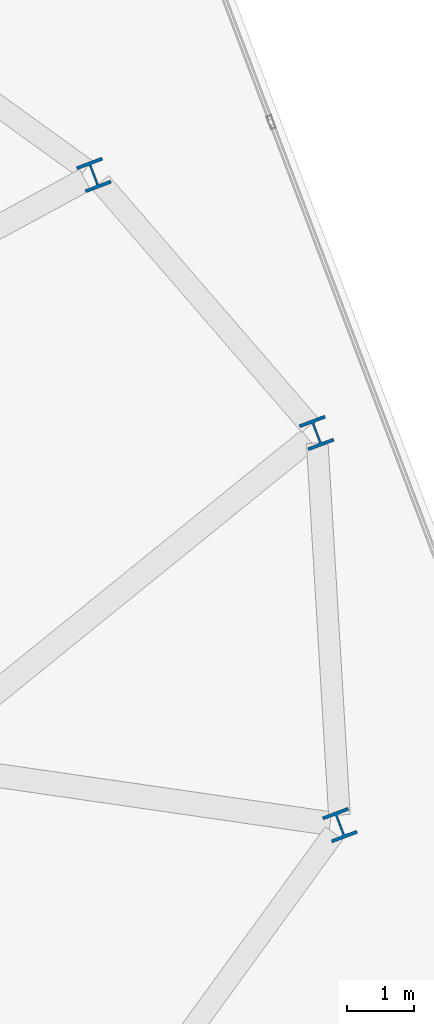
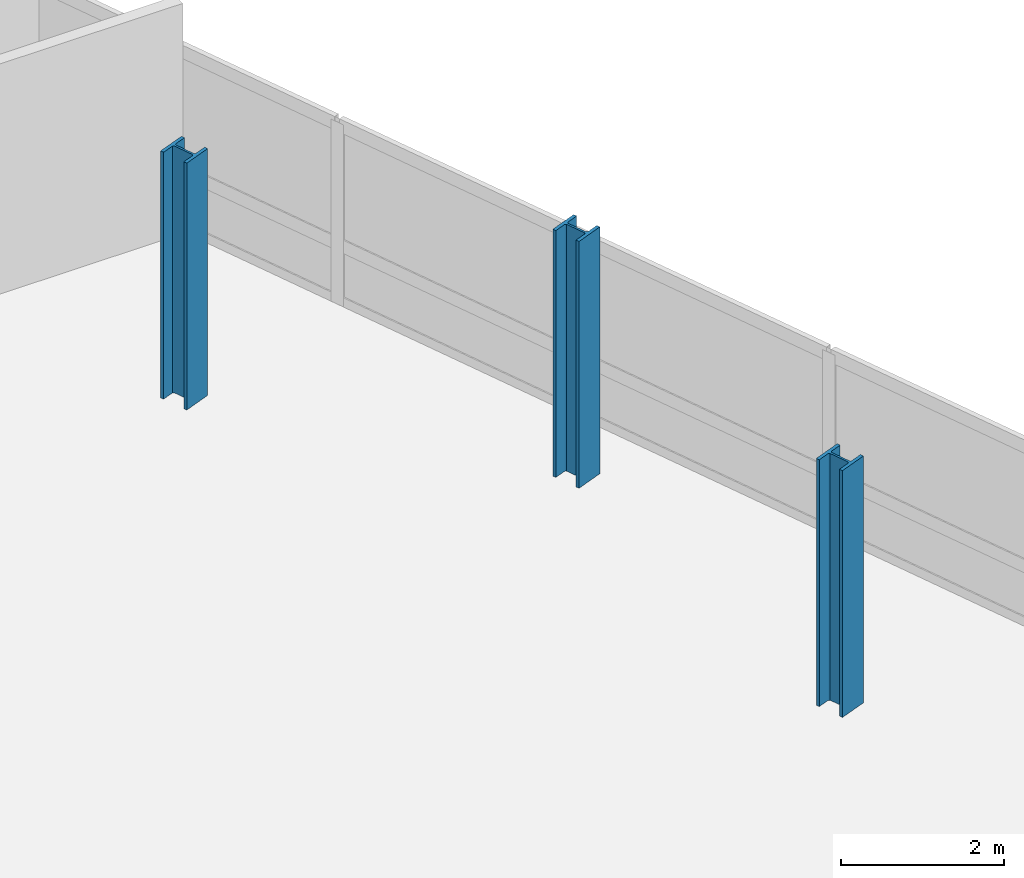
# One storey, part 2 of 24: 3 columns.
"""IFC4 building model written with IfcOpenShell, lengths in metres."""

from ifc_helpers import new_model, si_unit, direction, frame, origin, origin_2d, place, context, subcontext, project, spatial, i_section, extrude, material, material_profile, profile_set, type_object, element, save


model = new_model("IFC4")

# Units and contexts
model_context = context("Model", 3, precision=1e-05, world=origin(), true_north=direction((0.0, 1.0)))
body_context = subcontext(model_context, "Body", "Model", "MODEL_VIEW")
ifc_project = project(units=[si_unit("LENGTHUNIT", "METRE"), si_unit("AREAUNIT", "SQUARE_METRE"), si_unit("VOLUMEUNIT", "CUBIC_METRE"), si_unit("PLANEANGLEUNIT", "RADIAN"), si_unit("MASSUNIT", "GRAM", prefix="KILO")], contexts=[model_context])

# Site, building, storey
site_placement = place(None, origin())
site = spatial("IfcSite", under=ifc_project, at=site_placement, CompositionType="ELEMENT")
building_placement = place(site_placement, origin())
building = spatial("IfcBuilding", under=site, at=building_placement, Name="Varnelok Gate Tower", CompositionType="ELEMENT")
storey_placement = place(building_placement, frame((0.0, 0.0, 212.699951171875)))
storey = spatial("IfcBuildingStorey", under=building, at=storey_placement, Name="L54", CompositionType="ELEMENT", Elevation=212.699951171875)

# Columns
ifc_material = material(Name="Structural Steel ASTM A992 Grade 50", Category="steel")
ifc_material_profile = material_profile(ifc_material, i_section(OverallWidth=0.406005859375, OverallDepth=0.416015625, WebThickness=0.02978515625, FlangeThickness=0.048095703125, FilletRadius=0.02490234375, at=origin_2d()), Name="W14X257")
ifc_profile_set = profile_set([ifc_material_profile], Name="Structural Steel ASTM A992 Grade 50")
column_type = type_object("IfcColumnType", Name="COL-W14X257", PredefinedType="COLUMN", material=ifc_profile_set)
for number, where, z_axis, x_axis, name in (
    (1, (71.05517578125, 26.453369140625, 0.0), (0.0, 0.0, 1.0), (0.935221751401, 0.354062530786, 0.0), "L54 B5 Perimeter Column PC06"),
    (2, (70.70556640625, 32.319580078125, 0.0), (0.0, 0.0, 1.0), (0.935221751401, 0.354062530786, 0.0), "L54 B5 Perimeter Column PC07"),
    (3, (67.372802734375, 36.1796875, 0.0), (0.0, 0.0, 1.0), (0.935221751401, 0.354062530786, 0.0), "L54 B5 Perimeter Column PC08"),
):
    element("IfcColumn", number, at=place(storey_placement, frame(where, z_axis=z_axis, x_axis=x_axis)), inside=storey, type_object=column_type, Name=name, PredefinedType="COLUMN", context=body_context, shape_type="SweptSolid", body=[
        extrude(i_section(OverallWidth=0.406005859375, OverallDepth=0.416015625, WebThickness=0.02978515625, FlangeThickness=0.048095703125, FilletRadius=0.02490234375, at=origin_2d()), origin(), (0.0, 0.0, 1.0), 3.699951171875),
    ])

save(model, "model.ifc")
